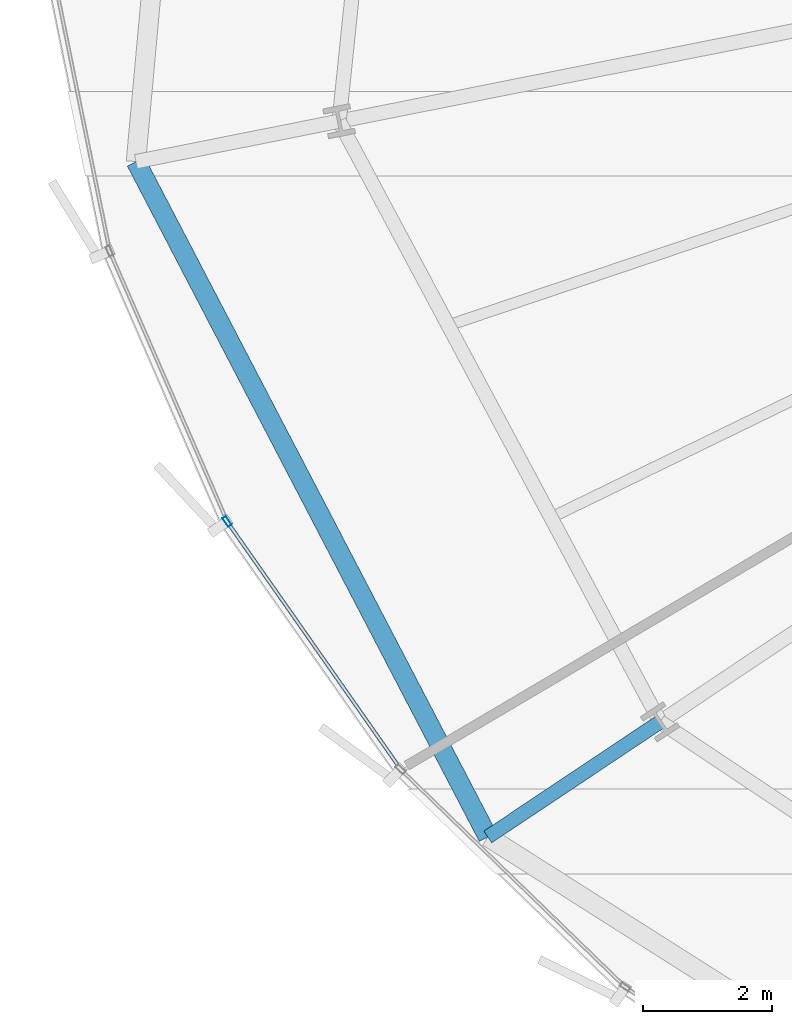
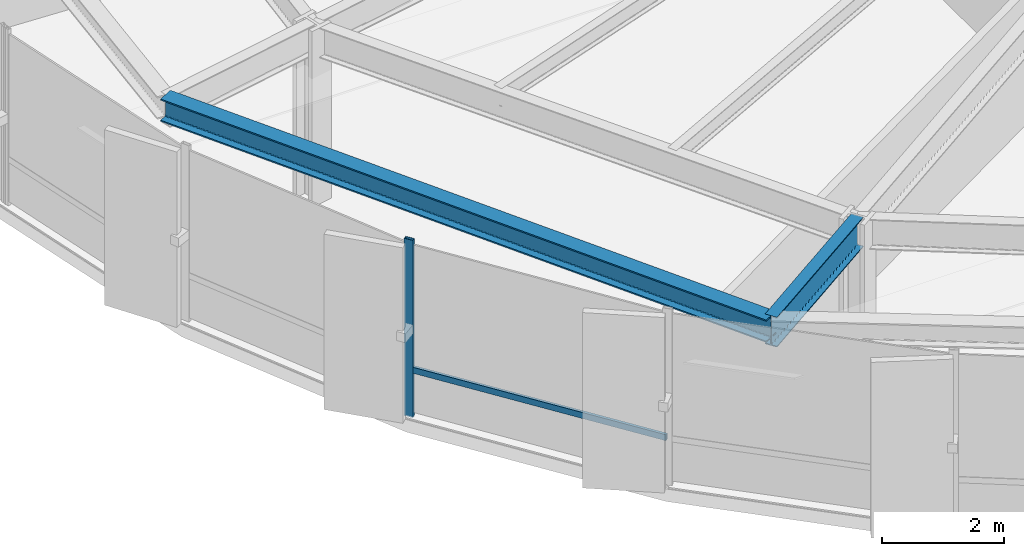
# One storey, part 3 of 38: 2 beams, 2 members, 1 element without a shape of its own.
"""IFC4 building model written with IfcOpenShell, lengths in metres."""

from ifc_helpers import new_model, si_unit, direction, frame, origin, origin_2d, place, context, subcontext, project, spatial, hollow_rectangle, i_section, extrude, source, transform, mapped, material, layer, layer_set, material_profile, profile_set, type_object, element, aggregate, save


model = new_model("IFC4")

# Units and contexts
model_context = context("Model", 3, precision=1e-05, world=origin(), true_north=direction((0.0, 1.0)))
body_context = subcontext(model_context, "Body", "Model", "MODEL_VIEW")
ifc_project = project(units=[si_unit("LENGTHUNIT", "METRE"), si_unit("AREAUNIT", "SQUARE_METRE"), si_unit("VOLUMEUNIT", "CUBIC_METRE"), si_unit("PLANEANGLEUNIT", "RADIAN"), si_unit("MASSUNIT", "GRAM", prefix="KILO"), si_unit("THERMODYNAMICTEMPERATUREUNIT", "KELVIN")], contexts=[model_context])

# Site, building, storey
site_placement = place(None, origin())
site = spatial("IfcSite", under=ifc_project, at=site_placement, CompositionType="ELEMENT")
building_placement = place(site_placement, origin())
building = spatial("IfcBuilding", under=site, at=building_placement, Name="Kethvar Cultural Tower", CompositionType="ELEMENT")
storey_placement = place(building_placement, frame((0.0, 0.0, 52.39990234375)))
storey = spatial("IfcBuildingStorey", under=building, at=storey_placement, Name="L12", CompositionType="ELEMENT", Elevation=52.39990234375)

# Beams
ifc_material_1 = material(Name="Steel S355J2", Category="steel")
ifc_material_profile_1 = material_profile(ifc_material_1, i_section(OverallWidth=0.219970703125, OverallDepth=0.60009765625, WebThickness=0.011962890625, FlangeThickness=0.01904296875, FilletRadius=0.02392578125, at=origin_2d()), Name="Steel S355J2 — IPE600")
ifc_profile_set_1 = profile_set([ifc_material_profile_1], Name="Steel S355J2 — IPE600")
beam_type_1 = type_object("IfcBeamType", Name="BM-IPE600", PredefinedType="BEAM", material=ifc_profile_set_1)
shared_shape_1 = source(origin(), body_context, "Body", "SweptSolid", [
    extrude(i_section(OverallWidth=0.219970703125, OverallDepth=0.60009765625, WebThickness=0.011962890625, FlangeThickness=0.01904296875, FilletRadius=0.02392578125, at=origin_2d()), origin(), (0.0, 0.0, 1.0), 3.2001953125),
])
beam_1_placement = place(storey_placement, frame((24.9248046875, 13.183349609375, 3.248046875), z_axis=(-0.831486491686, -0.555544970406, 0.0), x_axis=(0.555544970406, -0.831486491686, 0.0)))
element("IfcBeam", 1, at=beam_1_placement, inside=storey, type_object=beam_type_1, Name="L12 Perimeter Cantilever Beam RC-10", PredefinedType="BEAM", context=body_context, shape_type="MappedRepresentation", body=[
    mapped(shared_shape_1, transform((0.0, 0.0, 0.0), scale=1.0)),
])
ifc_material_profile_2 = material_profile(ifc_material_1, i_section(OverallWidth=0.300048828125, OverallDepth=0.449951171875, WebThickness=0.013916015625, FlangeThickness=0.02587890625, FilletRadius=0.027099609375, at=origin_2d()), Name="Steel S355J2 — HEB450")
ifc_profile_set_2 = profile_set([ifc_material_profile_2], Name="Steel S355J2 — HEB450")
beam_type_2 = type_object("IfcBeamType", Name="BM-SP450", PredefinedType="SPANDREL", material=ifc_profile_set_2)
shared_shape_2 = source(origin(), body_context, "Body", "SweptSolid", [
    extrude(i_section(OverallWidth=0.300048828125, OverallDepth=0.449951171875, WebThickness=0.013916015625, FlangeThickness=0.02587890625, FilletRadius=0.027099609375, at=origin_2d()), origin(), (0.0, 0.0, 1.0), 11.76416015625),
])
beam_2_placement = place(storey_placement, frame((16.827392578125, 21.838134765625, 3.322998046875), z_axis=(0.462126222064, -0.886814160285, 0.0), x_axis=(0.886814160285, 0.462126222064, 0.0)))
element("IfcBeam", 2, at=beam_2_placement, inside=storey, type_object=beam_type_2, Name="L12 Perimeter Spandrel Beam SP-09", PredefinedType="SPANDREL", context=body_context, shape_type="MappedRepresentation", body=[
    mapped(shared_shape_2, transform((0.0, 0.0, 0.0), scale=1.0)),
])

# Curtain wall, members
ifc_material_2 = material(Name="Aluminium 6063-T6", Category="aluminium")
ifc_layer = layer(ifc_material_2, 0.179931640625, Name="Aluminium 6063-T6", Category="aluminium")
ifc_layer_set = layer_set([ifc_layer], Name="Aluminium 6063-T6 (180 mm)")
curtain_wall_type = type_object("IfcCurtainWallType", Name="CW-SYS-02-Z1", PredefinedType="NOTDEFINED", material=ifc_layer_set)
curtain_wall_placement = place(storey_placement, origin())
curtain_wall = element("IfcCurtainWall", 3, at=curtain_wall_placement, inside=storey, type_object=curtain_wall_type, Name="L12 Curtain Wall Run 04", PredefinedType="NOTDEFINED")
ifc_material_profile_3 = material_profile(ifc_material_2, hollow_rectangle(XDim=0.06494140625, YDim=0.159912109375, WallThickness=0.0048828125, at=origin_2d()), Name="Aluminium 6063-T6 — RHS160x65x5")
ifc_profile_set_3 = profile_set([ifc_material_profile_3], Name="Aluminium 6063-T6 — RHS160x65x5")
member_type_1 = type_object("IfcMemberType", Name="CW-SYS-02-Z1-MUL", PredefinedType="MULLION", material=ifc_profile_set_3)
shared_shape_3 = source(origin(), body_context, "Body", "SweptSolid", [
    extrude(hollow_rectangle(XDim=0.06494140625, YDim=0.159912109375, WallThickness=0.0048828125, at=origin_2d()), origin(), (0.0, 0.0, 1.0), 3.550048828125),
])
member_1_placement = place(storey_placement, frame((18.2333984375, 16.279541015625, 0.0), z_axis=(0.0, 0.0, 1.0), x_axis=(0.818821552128, 0.574048138897, 0.0)))
member_1 = element("IfcMember", 4, at=member_1_placement, type_object=member_type_1, Name="CW-L12-R04 Mullion 3", PredefinedType="MULLION", context=body_context, shape_type="MappedRepresentation", body=[
    mapped(shared_shape_3, transform((0.0, 0.0, 0.0), scale=1.0)),
])
ifc_material_profile_4 = material_profile(ifc_material_2, hollow_rectangle(XDim=0.054931640625, YDim=0.1201171875, WallThickness=0.00390625, at=origin_2d()), Name="Aluminium 6063-T6 — RHS120x55x4")
ifc_profile_set_4 = profile_set([ifc_material_profile_4], Name="Aluminium 6063-T6 — RHS120x55x4")
member_type_2 = type_object("IfcMemberType", Name="CW-SYS-02-Z1-TRN", PredefinedType="USERDEFINED", material=ifc_profile_set_4)
shared_shape_4 = source(origin(), body_context, "Body", "SweptSolid", [
    extrude(hollow_rectangle(XDim=0.054931640625, YDim=0.1201171875, WallThickness=0.00390625, at=origin_2d()), origin(), (0.0, 0.0, 1.0), 4.604248046875),
])
member_2_placement = place(storey_placement, frame((18.26025390625, 16.2412109375, 0.9501953125), z_axis=(0.57405294801, -0.8188181806, 0.0), x_axis=(0.8188181806, 0.57405294801, 0.0)))
member_2 = element("IfcMember", 5, at=member_2_placement, type_object=member_type_2, Name="CW-L12-R04 Transom 3", ObjectType="TRANSOM", PredefinedType="USERDEFINED", context=body_context, shape_type="MappedRepresentation", body=[
    mapped(shared_shape_4, transform((0.0, 0.0, 0.0), scale=1.0)),
])
aggregate(curtain_wall, [member_1, member_2])

save(model, "model.ifc")
